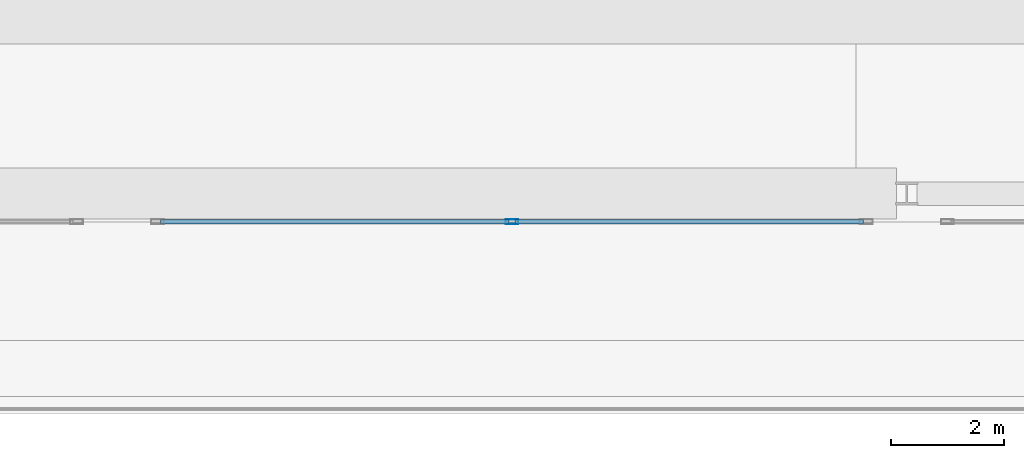
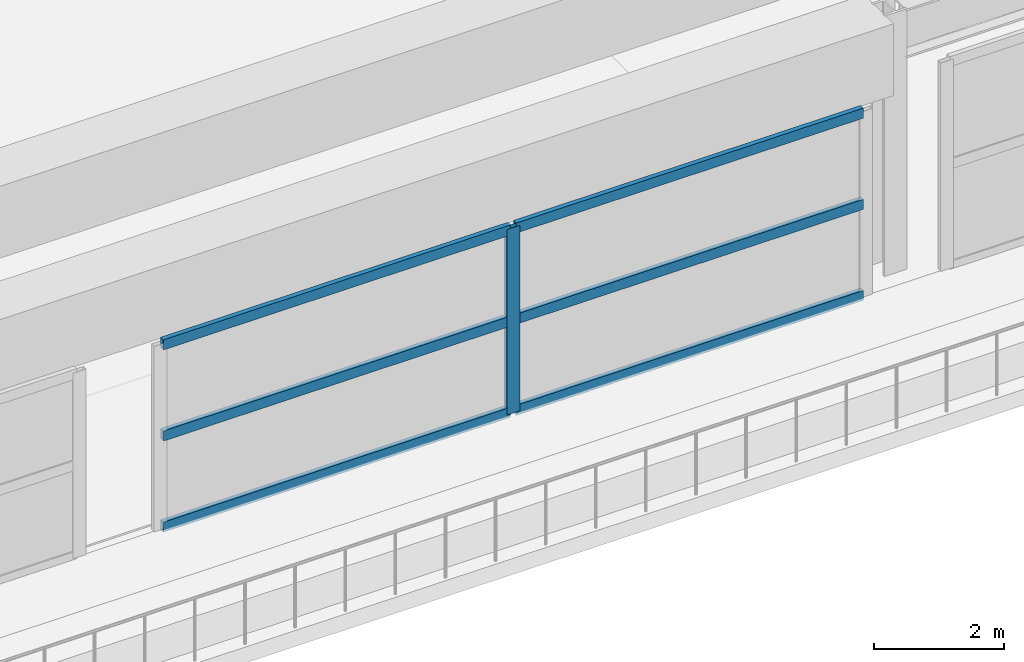
# One storey, part 23 of 45: 7 members, 1 element without a shape of its own.
"""IFC4 building model written with IfcOpenShell, lengths in metres."""

from ifc_helpers import new_model, si_unit, direction, frame, origin, origin_2d, place, context, subcontext, project, spatial, hollow_rectangle, extrude, material, material_profile, profile_set, type_object, element, aggregate, save


model = new_model("IFC4")

# Units and contexts
model_context = context("Model", 3, precision=1e-05, world=origin(), true_north=direction((0.0, 1.0)))
body_context = subcontext(model_context, "Body", "Model", "MODEL_VIEW")
ifc_project = project(units=[si_unit("LENGTHUNIT", "METRE"), si_unit("AREAUNIT", "SQUARE_METRE"), si_unit("VOLUMEUNIT", "CUBIC_METRE"), si_unit("PLANEANGLEUNIT", "RADIAN"), si_unit("MASSUNIT", "GRAM", prefix="KILO")], contexts=[model_context])

# Site, building, storey
site_placement = place(None, origin())
site = spatial("IfcSite", under=ifc_project, at=site_placement, CompositionType="ELEMENT")
building_placement = place(site_placement, origin())
building = spatial("IfcBuilding", under=site, at=building_placement, Name="Kovane Verandah Tower", CompositionType="ELEMENT")
storey_placement = place(building_placement, frame((0.0, 0.0, 6.0)))
storey = spatial("IfcBuildingStorey", under=building, at=storey_placement, Name="L01", CompositionType="ELEMENT", Elevation=6.0)

# Curtain wall, members
ifc_material_1 = material(Name="Champagne Anodised Aluminium Frame with Low-E Clear Laminated Glass", Category="aluminium")
curtain_wall_type = type_object("IfcCurtainWallType", Name="CW-SYS-01-POD", PredefinedType="NOTDEFINED", material=ifc_material_1)
curtain_wall_placement = place(storey_placement, origin())
curtain_wall = element("IfcCurtainWall", 1, at=curtain_wall_placement, inside=storey, type_object=curtain_wall_type, Name="L01 South Podium Curtain Wall Bay 6.1", PredefinedType="NOTDEFINED")
ifc_material_2 = material(Name="Champagne Anodised Aluminium 6063-T6", Category="aluminium")
ifc_material_profile_1 = material_profile(ifc_material_2, hollow_rectangle(XDim=0.0849609375, YDim=0.22998046875, WallThickness=0.00390625, at=origin_2d()), Name="AL85x230x4")
ifc_profile_set_1 = profile_set([ifc_material_profile_1], Name="Champagne Anodised Aluminium 6063-T6")
member_type_1 = type_object("IfcMemberType", Name="CW-MUL-85x230", PredefinedType="MULLION", material=ifc_profile_set_1)
member_1_placement = place(storey_placement, frame((65.39990234375, 1.89990234375, 0.02001953125), z_axis=(0.0, 0.0, 1.0), x_axis=(0.0, -1.0, 0.0)))
member_1 = element("IfcMember", 2, at=member_1_placement, type_object=member_type_1, Name="L01 South Podium Curtain Wall Bay 6.1 Mullion 2", PredefinedType="MULLION", context=body_context, shape_type="SweptSolid", body=[
    extrude(hollow_rectangle(XDim=0.0849609375, YDim=0.22998046875, WallThickness=0.00390625, at=origin_2d()), origin(), (0.0, 0.0, 1.0), 3.489990234375),
])
ifc_material_profile_2 = material_profile(ifc_material_2, hollow_rectangle(XDim=0.0849609375, YDim=0.18994140625, WallThickness=0.00390625, at=origin_2d()), Name="AL85x190x4")
ifc_profile_set_2 = profile_set([ifc_material_profile_2], Name="Champagne Anodised Aluminium 6063-T6")
member_type_2 = type_object("IfcMemberType", Name="CW-TRN-85x190", PredefinedType="USERDEFINED", material=ifc_profile_set_2)
member_2_placement = place(storey_placement, frame((59.169921875, 1.89990234375, 0.050048828125), z_axis=(1.0, 0.0, 0.0), x_axis=(0.0, 1.0, 0.0)))
member_2 = element("IfcMember", 3, at=member_2_placement, type_object=member_type_2, Name="L01 South Podium Curtain Wall Bay 6.1 Transom TB Bay 1", ObjectType="TRANSOM", PredefinedType="USERDEFINED", context=body_context, shape_type="SweptSolid", body=[
    extrude(hollow_rectangle(XDim=0.0849609375, YDim=0.18994140625, WallThickness=0.00390625, at=origin_2d()), origin(), (0.0, 0.0, 1.0), 6.18017578125),
])
member_3_placement = place(storey_placement, frame((59.169921875, 1.89990234375, 1.764892578125), z_axis=(1.0, 0.0, 0.0), x_axis=(0.0, 1.0, 0.0)))
member_3 = element("IfcMember", 4, at=member_3_placement, type_object=member_type_2, Name="L01 South Podium Curtain Wall Bay 6.1 Transom TM Bay 1", ObjectType="TRANSOM", PredefinedType="USERDEFINED", context=body_context, shape_type="SweptSolid", body=[
    extrude(hollow_rectangle(XDim=0.0849609375, YDim=0.18994140625, WallThickness=0.00390625, at=origin_2d()), origin(), (0.0, 0.0, 1.0), 6.18017578125),
])
member_4_placement = place(storey_placement, frame((59.169921875, 1.89990234375, 3.47998046875), z_axis=(1.0, 0.0, 0.0), x_axis=(0.0, 1.0, 0.0)))
member_4 = element("IfcMember", 5, at=member_4_placement, type_object=member_type_2, Name="L01 South Podium Curtain Wall Bay 6.1 Transom TT Bay 1", ObjectType="TRANSOM", PredefinedType="USERDEFINED", context=body_context, shape_type="SweptSolid", body=[
    extrude(hollow_rectangle(XDim=0.0849609375, YDim=0.18994140625, WallThickness=0.00390625, at=origin_2d()), origin(), (0.0, 0.0, 1.0), 6.18017578125),
])
member_5_placement = place(storey_placement, frame((65.449951171875, 1.89990234375, 0.050048828125), z_axis=(1.0, 0.0, 0.0), x_axis=(0.0, 1.0, 0.0)))
member_5 = element("IfcMember", 6, at=member_5_placement, type_object=member_type_2, Name="L01 South Podium Curtain Wall Bay 6.1 Transom TB Bay 2", ObjectType="TRANSOM", PredefinedType="USERDEFINED", context=body_context, shape_type="SweptSolid", body=[
    extrude(hollow_rectangle(XDim=0.0849609375, YDim=0.18994140625, WallThickness=0.00390625, at=origin_2d()), origin(), (0.0, 0.0, 1.0), 6.179931640625),
])
member_6_placement = place(storey_placement, frame((65.449951171875, 1.89990234375, 1.764892578125), z_axis=(1.0, 0.0, 0.0), x_axis=(0.0, 1.0, 0.0)))
member_6 = element("IfcMember", 7, at=member_6_placement, type_object=member_type_2, Name="L01 South Podium Curtain Wall Bay 6.1 Transom TM Bay 2", ObjectType="TRANSOM", PredefinedType="USERDEFINED", context=body_context, shape_type="SweptSolid", body=[
    extrude(hollow_rectangle(XDim=0.0849609375, YDim=0.18994140625, WallThickness=0.00390625, at=origin_2d()), origin(), (0.0, 0.0, 1.0), 6.179931640625),
])
member_7_placement = place(storey_placement, frame((65.449951171875, 1.89990234375, 3.47998046875), z_axis=(1.0, 0.0, 0.0), x_axis=(0.0, 1.0, 0.0)))
member_7 = element("IfcMember", 8, at=member_7_placement, type_object=member_type_2, Name="L01 South Podium Curtain Wall Bay 6.1 Transom TT Bay 2", ObjectType="TRANSOM", PredefinedType="USERDEFINED", context=body_context, shape_type="SweptSolid", body=[
    extrude(hollow_rectangle(XDim=0.0849609375, YDim=0.18994140625, WallThickness=0.00390625, at=origin_2d()), origin(), (0.0, 0.0, 1.0), 6.179931640625),
])
aggregate(curtain_wall, [member_1, member_2, member_3, member_4, member_5, member_6, member_7])

save(model, "model.ifc")
